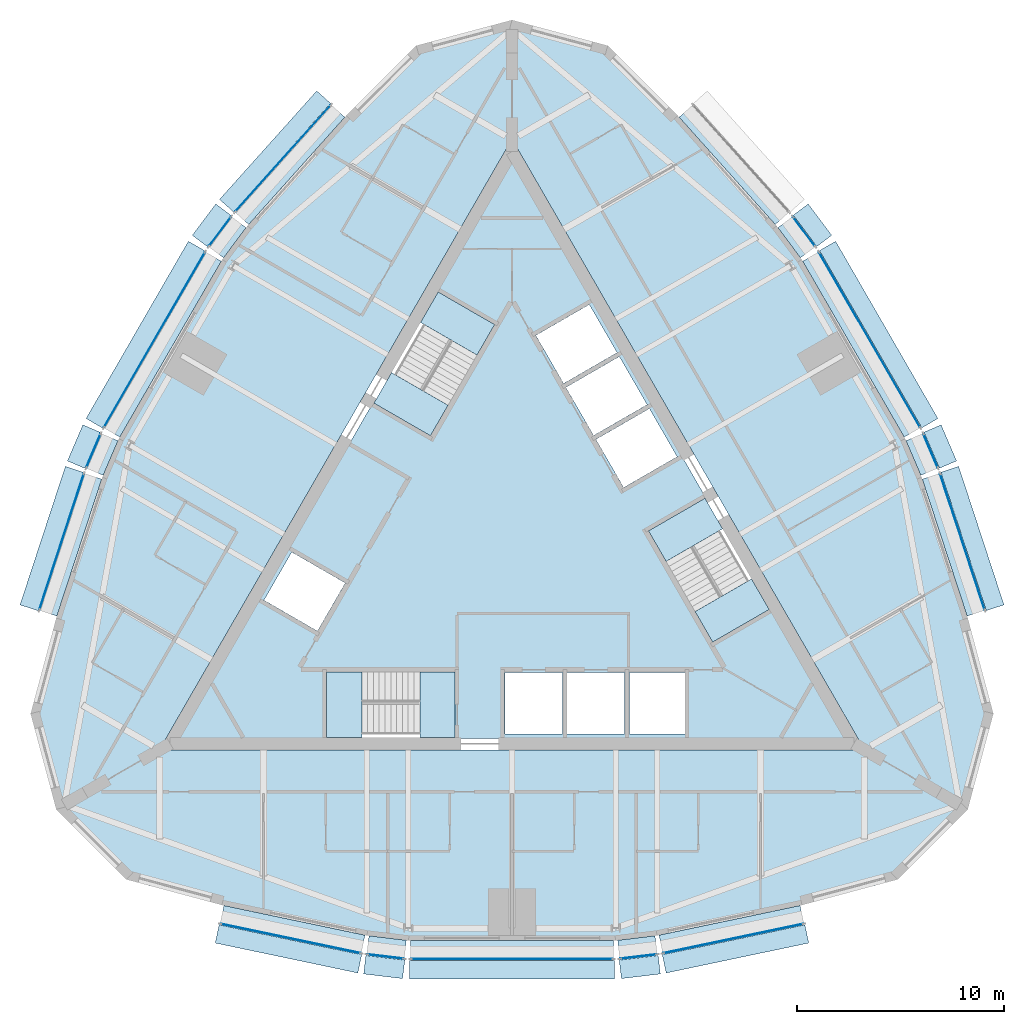
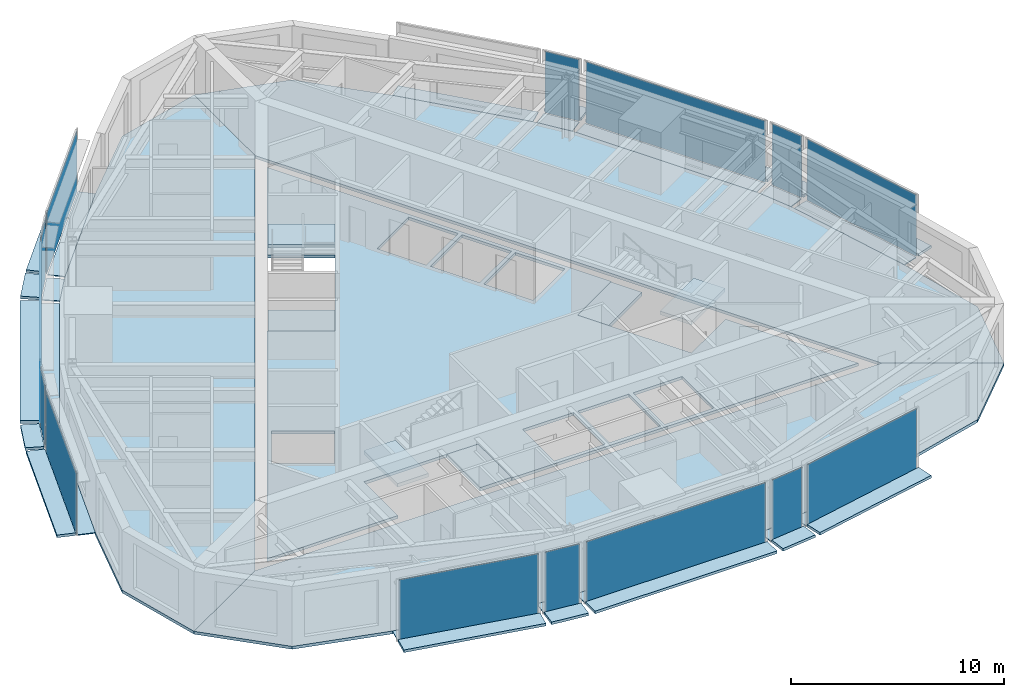
# One storey, part 6 of 12: 43 plates, 10 slabs, 17 elements without a shape of their own.
"""IFC4 building model written with IfcOpenShell, lengths in metres."""

from ifc_helpers import new_model, si_unit, direction, frame, origin, origin_2d, place, context, subcontext, project, spatial, polyline, rectangle, outline, extrude, material, layer, layer_set, type_object, element, aggregate, save


model = new_model("IFC4")

# Units and contexts
model_context = context("Model", 3, precision=1e-05, world=origin(), true_north=direction((0.0, 1.0)))
body_context = subcontext(model_context, "Body", "Model", "MODEL_VIEW")
ifc_project = project(units=[si_unit("LENGTHUNIT", "METRE"), si_unit("AREAUNIT", "SQUARE_METRE"), si_unit("VOLUMEUNIT", "CUBIC_METRE"), si_unit("PLANEANGLEUNIT", "RADIAN"), si_unit("MASSUNIT", "GRAM", prefix="KILO")], contexts=[model_context])

# Site, building, storey
site_placement = place(None, origin())
site = spatial("IfcSite", under=ifc_project, at=site_placement, CompositionType="ELEMENT")
building_placement = place(site_placement, origin())
building = spatial("IfcBuilding", under=site, at=building_placement, Name="Trikona Tower", CompositionType="ELEMENT")
storey_placement = place(building_placement, frame((0.0, 0.0, 264.5)))
storey = spatial("IfcBuildingStorey", under=building, at=storey_placement, Name="L70", CompositionType="ELEMENT", Elevation=264.5)

# Plates
ifc_material_1 = material(Name="Aluminium bar grating", Category="aluminium")
ifc_layer_1 = layer(ifc_material_1, 0.050048828125)
ifc_layer_set_1 = layer_set([ifc_layer_1], Name="Cavity catwalk grating")
plate_type_1 = type_object("IfcPlateType", Name="Cavity catwalk grating", PredefinedType="USERDEFINED", material=ifc_layer_set_1)
plate_1_placement = place(storey_placement, frame((-10.586181640625, -18.466552734375, -0.0498046875), z_axis=(0.0, 0.0, 1.0), x_axis=(0.97865342171, -0.205517590916, 0.0)))
element("IfcPlate", 1, at=plate_1_placement, inside=storey, type_object=plate_type_1, Name="Cavity catwalk L70-00", ObjectType="CATWALK GRATING", PredefinedType="USERDEFINED", context=body_context, shape_type="SweptSolid", body=[
    extrude(rectangle(XDim=6.95263671875, YDim=0.840087890625, at=origin_2d()), origin(), (0.0, 0.0, 1.0), 0.050048828125),
])
plate_2_placement = place(storey_placement, frame((-6.050048828125, -19.327392578125, -0.0498046875), z_axis=(0.0, 0.0, 1.0), x_axis=(0.992876783199, -0.11914568135, 0.0)))
element("IfcPlate", 2, at=plate_2_placement, inside=storey, type_object=plate_type_1, Name="Cavity catwalk L70-01", ObjectType="CATWALK GRATING", PredefinedType="USERDEFINED", context=body_context, shape_type="SweptSolid", body=[
    extrude(rectangle(XDim=1.814208984375, YDim=0.840087890625, at=origin_2d()), origin(), (0.0, 0.0, 1.0), 0.050048828125),
])
plate_3_placement = place(storey_placement, frame((0.0, -19.450439453125, -0.0498046875), z_axis=(0.0, 0.0, 1.0), x_axis=(1.0, 0.0, 0.0)))
element("IfcPlate", 3, at=plate_3_placement, inside=storey, type_object=plate_type_1, Name="Cavity catwalk L70-02", ObjectType="CATWALK GRATING", PredefinedType="USERDEFINED", context=body_context, shape_type="SweptSolid", body=[
    extrude(rectangle(XDim=9.800048828125, YDim=0.840087890625, at=origin_2d()), origin(), (0.0, 0.0, 1.0), 0.050048828125),
])
plate_4_placement = place(storey_placement, frame((6.050048828125, -19.327392578125, -0.0498046875), z_axis=(0.0, 0.0, 1.0), x_axis=(0.992876783199, 0.11914568135, 0.0)))
element("IfcPlate", 4, at=plate_4_placement, inside=storey, type_object=plate_type_1, Name="Cavity catwalk L70-03", ObjectType="CATWALK GRATING", PredefinedType="USERDEFINED", context=body_context, shape_type="SweptSolid", body=[
    extrude(rectangle(XDim=1.814208984375, YDim=0.840087890625, at=origin_2d()), origin(), (0.0, 0.0, 1.0), 0.050048828125),
])
for number, where, z_axis, x_axis, name in (
    (5, (10.586181640625, -18.466552734375, -0.0498046875), (0.0, 0.0, 1.0), (0.97865342171, 0.205517590916, 0.0), "Cavity catwalk L70-04"),
    (6, (21.28564453125, 0.065185546875, -0.0498046875), (0.0, 0.0, 1.0), (-0.311336621861, 0.950299693722, 0.0), "Cavity catwalk L70-09"),
):
    element("IfcPlate", number, at=place(storey_placement, frame(where, z_axis=z_axis, x_axis=x_axis)), inside=storey, type_object=plate_type_1, Name=name, ObjectType="CATWALK GRATING", PredefinedType="USERDEFINED", context=body_context, shape_type="SweptSolid", body=[
        extrude(rectangle(XDim=6.95263671875, YDim=0.840087890625, at=origin_2d()), origin(), (0.0, 0.0, 1.0), 0.050048828125),
    ])
plate_5_placement = place(storey_placement, frame((19.76318359375, 4.42431640625, -0.0498046875), z_axis=(0.0, 0.0, 1.0), x_axis=(-0.39328408933, 0.919417002823, 0.0)))
element("IfcPlate", 7, at=plate_5_placement, inside=storey, type_object=plate_type_1, Name="Cavity catwalk L70-10", ObjectType="CATWALK GRATING", PredefinedType="USERDEFINED", context=body_context, shape_type="SweptSolid", body=[
    extrude(rectangle(XDim=1.814208984375, YDim=0.840087890625, at=origin_2d()), origin(), (0.0, 0.0, 1.0), 0.050048828125),
])
plate_6_placement = place(storey_placement, frame((16.844482421875, 9.72509765625, -0.0498046875), z_axis=(0.0, 0.0, 1.0), x_axis=(-0.4999984885, 0.866026276448, 0.0)))
element("IfcPlate", 8, at=plate_6_placement, inside=storey, type_object=plate_type_1, Name="Cavity catwalk L70-11", ObjectType="CATWALK GRATING", PredefinedType="USERDEFINED", context=body_context, shape_type="SweptSolid", body=[
    extrude(rectangle(XDim=9.800048828125, YDim=0.840087890625, at=origin_2d()), origin(), (0.0, 0.0, 1.0), 0.050048828125),
])
plate_7_placement = place(storey_placement, frame((13.713134765625, 14.9033203125, -0.0498046875), z_axis=(0.0, 0.0, 1.0), x_axis=(-0.599618784879, 0.800285769472, 0.0)))
element("IfcPlate", 9, at=plate_7_placement, inside=storey, type_object=plate_type_1, Name="Cavity catwalk L70-12", ObjectType="CATWALK GRATING", PredefinedType="USERDEFINED", context=body_context, shape_type="SweptSolid", body=[
    extrude(rectangle(XDim=1.814208984375, YDim=0.840087890625, at=origin_2d()), origin(), (0.0, 0.0, 1.0), 0.050048828125),
])
for number, where, z_axis, x_axis, name in (
    (10, (10.699462890625, 18.4013671875, -0.0498046875), (0.0, 0.0, 1.0), (-0.667311465398, 0.744778764566, 0.0), "Cavity catwalk L70-13"),
    (11, (-10.699462890625, 18.4013671875, -0.0498046875), (0.0, 0.0, 1.0), (-0.667311465398, -0.744778764566, 0.0), "Cavity catwalk L70-18"),
):
    element("IfcPlate", number, at=place(storey_placement, frame(where, z_axis=z_axis, x_axis=x_axis)), inside=storey, type_object=plate_type_1, Name=name, ObjectType="CATWALK GRATING", PredefinedType="USERDEFINED", context=body_context, shape_type="SweptSolid", body=[
        extrude(rectangle(XDim=6.95263671875, YDim=0.840087890625, at=origin_2d()), origin(), (0.0, 0.0, 1.0), 0.050048828125),
    ])
plate_8_placement = place(storey_placement, frame((-13.713134765625, 14.9033203125, -0.0498046875), z_axis=(0.0, 0.0, 1.0), x_axis=(-0.599618784879, -0.800285769472, 0.0)))
element("IfcPlate", 12, at=plate_8_placement, inside=storey, type_object=plate_type_1, Name="Cavity catwalk L70-19", ObjectType="CATWALK GRATING", PredefinedType="USERDEFINED", context=body_context, shape_type="SweptSolid", body=[
    extrude(rectangle(XDim=1.814208984375, YDim=0.840087890625, at=origin_2d()), origin(), (0.0, 0.0, 1.0), 0.050048828125),
])
plate_9_placement = place(storey_placement, frame((-16.844482421875, 9.72509765625, -0.0498046875), z_axis=(0.0, 0.0, 1.0), x_axis=(-0.4999984885, -0.866026276448, 0.0)))
element("IfcPlate", 13, at=plate_9_placement, inside=storey, type_object=plate_type_1, Name="Cavity catwalk L70-20", ObjectType="CATWALK GRATING", PredefinedType="USERDEFINED", context=body_context, shape_type="SweptSolid", body=[
    extrude(rectangle(XDim=9.800048828125, YDim=0.840087890625, at=origin_2d()), origin(), (0.0, 0.0, 1.0), 0.050048828125),
])
plate_10_placement = place(storey_placement, frame((-19.76318359375, 4.42431640625, -0.0498046875), z_axis=(0.0, 0.0, 1.0), x_axis=(-0.39328408933, -0.919417002823, 0.0)))
element("IfcPlate", 14, at=plate_10_placement, inside=storey, type_object=plate_type_1, Name="Cavity catwalk L70-21", ObjectType="CATWALK GRATING", PredefinedType="USERDEFINED", context=body_context, shape_type="SweptSolid", body=[
    extrude(rectangle(XDim=1.814208984375, YDim=0.840087890625, at=origin_2d()), origin(), (0.0, 0.0, 1.0), 0.050048828125),
])
plate_11_placement = place(storey_placement, frame((-21.28564453125, 0.065185546875, -0.0498046875), z_axis=(0.0, 0.0, 1.0), x_axis=(-0.311336621861, -0.950299693722, 0.0)))
element("IfcPlate", 15, at=plate_11_placement, inside=storey, type_object=plate_type_1, Name="Cavity catwalk L70-22", ObjectType="CATWALK GRATING", PredefinedType="USERDEFINED", context=body_context, shape_type="SweptSolid", body=[
    extrude(rectangle(XDim=6.95263671875, YDim=0.840087890625, at=origin_2d()), origin(), (0.0, 0.0, 1.0), 0.050048828125),
])

# Slabs
ifc_material_2 = material(Name="Concrete f'c 5000 psi lightweight on composite steel deck", Category="concrete")
ifc_layer_2 = layer(ifc_material_2, 0.1650390625)
ifc_layer_set_2 = layer_set([ifc_layer_2], Name="Composite floor slab 165")
slab_type_1 = type_object("IfcSlabType", Name="Composite floor slab 165", PredefinedType="FLOOR", material=ifc_layer_set_2)
slab_1_placement = place(storey_placement, frame((0.0, 0.0, -0.1650390625)))
element("IfcSlab", 16, at=slab_1_placement, inside=storey, type_object=slab_type_1, Name="Floor slab L70 core", PredefinedType="FLOOR", context=body_context, shape_type="SweptSolid", body=[
    extrude(outline(polyline([(-16.06689453125, -9.2763671875), (-8.949951171875, -9.2763671875), (-8.949951171875, -6.076416015625), (-2.75, -6.076416015625), (-2.75, -9.2763671875), (16.06689453125, -9.2763671875), (12.45849609375, -3.026123046875), (9.687255859375, -4.626220703125), (6.587158203125, 0.7431640625), (9.3583984375, 2.34326171875), (0.0, 18.552490234375), (-3.6083984375, 12.302490234375), (-0.837158203125, 10.702392578125), (-3.937255859375, 5.3330078125), (-6.70849609375, 6.93310546875), (-16.06689453125, -9.2763671875)]), holes=[polyline([(5.659912109375, -6.086181640625), (5.659912109375, -9.06640625), (8.340087890625, -9.06640625), (8.340087890625, -6.086181640625), (5.659912109375, -6.086181640625)]), polyline([(6.631591796875, 6.646240234375), (4.05078125, 5.15625), (5.390869140625, 2.835205078125), (7.9716796875, 4.3251953125), (6.631591796875, 6.646240234375)]), polyline([(6.521484375, 6.8369140625), (5.181640625, 9.15771484375), (2.600830078125, 7.667724609375), (3.94091796875, 5.3466796875), (6.521484375, 6.8369140625)]), polyline([(2.659912109375, -9.06640625), (5.43994140625, -9.06640625), (5.43994140625, -6.086181640625), (2.659912109375, -6.086181640625), (2.659912109375, -9.06640625)]), polyline([(2.490966796875, 7.858154296875), (5.071533203125, 9.34814453125), (3.731689453125, 11.669189453125), (1.15087890625, 10.17919921875), (2.490966796875, 7.858154296875)]), polyline([(2.43994140625, -9.06640625), (2.43994140625, -6.086181640625), (-0.340087890625, -6.086181640625), (-0.340087890625, -9.06640625), (2.43994140625, -9.06640625)]), polyline([(-11.9716796875, -2.602783203125), (-9.390869140625, -4.093017578125), (-8.05078125, -1.77197265625), (-10.631591796875, -0.281982421875), (-11.9716796875, -2.602783203125)])]), origin(), (0.0, 0.0, 1.0), 0.1650390625),
])
slab_2_placement = place(storey_placement, frame((0.0, 0.0, -0.1650390625)))
element("IfcSlab", 17, at=slab_2_placement, inside=storey, type_object=slab_type_1, Name="Floor slab L70 south", PredefinedType="FLOOR", context=body_context, shape_type="SweptSolid", body=[
    extrude(outline(polyline([(18.618896484375, -16.0830078125), (22.0, -12.70166015625), (17.01953125, -9.826416015625), (-17.01953125, -9.826416015625), (-22.0, -12.70166015625), (-18.618896484375, -16.0830078125), (-14.0, -17.320556640625), (-7.0, -18.79052734375), (-5.0, -19.030517578125), (5.0, -19.030517578125), (7.0, -18.79052734375), (14.0, -17.320556640625), (18.618896484375, -16.0830078125)])), origin(), (0.0, 0.0, 1.0), 0.1650390625),
])
slab_3_placement = place(storey_placement, frame((0.0, 0.0, -0.1650390625)))
element("IfcSlab", 18, at=slab_3_placement, inside=storey, type_object=slab_type_1, Name="Floor slab L70 north-east", PredefinedType="FLOOR", context=body_context, shape_type="SweptSolid", body=[
    extrude(outline(polyline([(4.618896484375, 24.165771484375), (0.0, 25.4033203125), (0.0, 19.652587890625), (17.01953125, -9.826416015625), (22.0, -12.70166015625), (23.237548828125, -8.0830078125), (22.0, -3.464111328125), (19.773193359375, 3.3330078125), (18.98095703125, 5.18505859375), (13.98095703125, 13.845458984375), (12.773193359375, 15.45751953125), (8.0, 20.78466796875), (4.618896484375, 24.165771484375)])), origin(), (0.0, 0.0, 1.0), 0.1650390625),
])
slab_4_placement = place(storey_placement, frame((0.0, 0.0, -0.1650390625)))
element("IfcSlab", 19, at=slab_4_placement, inside=storey, type_object=slab_type_1, Name="Floor slab L70 north-west", PredefinedType="FLOOR", context=body_context, shape_type="SweptSolid", body=[
    extrude(outline(polyline([(0.0, 19.652587890625), (0.0, 25.4033203125), (-4.618896484375, 24.165771484375), (-8.0, 20.78466796875), (-12.773193359375, 15.45751953125), (-13.98095703125, 13.845458984375), (-18.98095703125, 5.18505859375), (-19.773193359375, 3.3330078125), (-22.0, -3.464111328125), (-23.237548828125, -8.0830078125), (-22.0, -12.70166015625), (-17.01953125, -9.826416015625), (0.0, 19.652587890625)])), origin(), (0.0, 0.0, 1.0), 0.1650390625),
])

# Curtain wall, plate
ifc_material_3 = material(Name="Aluminium curtain wall system", Category="aluminium")
curtain_wall_type = type_object("IfcCurtainWallType", Name="Curtain wall DS3", PredefinedType="NOTDEFINED", material=ifc_material_3)
curtain_wall_1_placement = place(storey_placement, origin())
curtain_wall_1 = element("IfcCurtainWall", 20, at=curtain_wall_1_placement, inside=storey, type_object=curtain_wall_type, Name="Curtain wall DS3 L70", PredefinedType="NOTDEFINED")
ifc_material_4 = material(Name="Laminated clear glass", Category="glass")
ifc_layer_3 = layer(ifc_material_4, 0.028076171875)
ifc_layer_set_3 = layer_set([ifc_layer_3], Name="Glass panel DS3")
plate_type_2 = type_object("IfcPlateType", Name="Glass panel DS3", PredefinedType="CURTAIN_PANEL", material=ifc_layer_set_3)
plate_12_placement = place(storey_placement, frame((-10.68505859375, -18.936279296875, 0.0), z_axis=(0.0, 0.0, 1.0), x_axis=(0.978651351583, -0.205527448396, 0.0)))
plate_12 = element("IfcPlate", 21, at=plate_12_placement, type_object=plate_type_2, Name="CW-DS3 panel 1.1", PredefinedType="CURTAIN_PANEL", context=body_context, shape_type="SweptSolid", body=[
    extrude(rectangle(XDim=6.892578125, YDim=0.028076171875, at=origin_2d()), origin(), (0.0, 0.0, 1.0), 3.530029296875),
])
aggregate(curtain_wall_1, [plate_12])

curtain_wall_2_placement = place(storey_placement, origin())
curtain_wall_2 = element("IfcCurtainWall", 22, at=curtain_wall_2_placement, inside=storey, type_object=curtain_wall_type, Name="Curtain wall DS3 L70", PredefinedType="NOTDEFINED")
plate_13_placement = place(storey_placement, frame((-6.107177734375, -19.803955078125, 0.0), z_axis=(0.0, 0.0, 1.0), x_axis=(0.992877338043, -0.119141057581, 0.0)))
plate_13 = element("IfcPlate", 23, at=plate_13_placement, type_object=plate_type_2, Name="CW-DS3 panel 1.1", PredefinedType="CURTAIN_PANEL", context=body_context, shape_type="SweptSolid", body=[
    extrude(rectangle(XDim=1.75439453125, YDim=0.028076171875, at=origin_2d()), origin(), (0.0, 0.0, 1.0), 3.530029296875),
])
aggregate(curtain_wall_2, [plate_13])

curtain_wall_3_placement = place(storey_placement, origin())
curtain_wall_3 = element("IfcCurtainWall", 24, at=curtain_wall_3_placement, inside=storey, type_object=curtain_wall_type, Name="Curtain wall DS3 L70", PredefinedType="NOTDEFINED")
plate_14_placement = place(storey_placement, frame((0.0, -19.930419921875, 0.0), z_axis=(0.0, 0.0, 1.0), x_axis=(1.0, 0.0, 0.0)))
plate_14 = element("IfcPlate", 25, at=plate_14_placement, type_object=plate_type_2, Name="CW-DS3 panel 1.1", PredefinedType="CURTAIN_PANEL", context=body_context, shape_type="SweptSolid", body=[
    extrude(rectangle(XDim=9.739990234375, YDim=0.028076171875, at=origin_2d()), origin(), (0.0, 0.0, 1.0), 3.530029296875),
])
aggregate(curtain_wall_3, [plate_14])

curtain_wall_4_placement = place(storey_placement, origin())
curtain_wall_4 = element("IfcCurtainWall", 26, at=curtain_wall_4_placement, inside=storey, type_object=curtain_wall_type, Name="Curtain wall DS3 L70", PredefinedType="NOTDEFINED")
plate_15_placement = place(storey_placement, frame((6.107177734375, -19.803955078125, 0.0), z_axis=(0.0, 0.0, 1.0), x_axis=(0.992877338043, 0.119141057581, 0.0)))
plate_15 = element("IfcPlate", 27, at=plate_15_placement, type_object=plate_type_2, Name="CW-DS3 panel 1.1", PredefinedType="CURTAIN_PANEL", context=body_context, shape_type="SweptSolid", body=[
    extrude(rectangle(XDim=1.75439453125, YDim=0.028076171875, at=origin_2d()), origin(), (0.0, 0.0, 1.0), 3.530029296875),
])
aggregate(curtain_wall_4, [plate_15])

curtain_wall_5_placement = place(storey_placement, origin())
curtain_wall_5 = element("IfcCurtainWall", 28, at=curtain_wall_5_placement, inside=storey, type_object=curtain_wall_type, Name="Curtain wall DS3 L70", PredefinedType="NOTDEFINED")
plate_16_placement = place(storey_placement, frame((10.68505859375, -18.936279296875, 0.0), z_axis=(0.0, 0.0, 1.0), x_axis=(0.978651351583, 0.205527448396, 0.0)))
plate_16 = element("IfcPlate", 29, at=plate_16_placement, type_object=plate_type_2, Name="CW-DS3 panel 1.1", PredefinedType="CURTAIN_PANEL", context=body_context, shape_type="SweptSolid", body=[
    extrude(rectangle(XDim=6.892578125, YDim=0.028076171875, at=origin_2d()), origin(), (0.0, 0.0, 1.0), 3.530029296875),
])
aggregate(curtain_wall_5, [plate_16])

curtain_wall_6_placement = place(storey_placement, origin())
curtain_wall_6 = element("IfcCurtainWall", 30, at=curtain_wall_6_placement, inside=storey, type_object=curtain_wall_type, Name="Curtain wall DS3 L70", PredefinedType="NOTDEFINED")
plate_17_placement = place(storey_placement, frame((21.74169921875, 0.214599609375, 0.0), z_axis=(0.0, 0.0, 1.0), x_axis=(-0.311343553515, 0.95029742275, 0.0)))
plate_17 = element("IfcPlate", 31, at=plate_17_placement, type_object=plate_type_2, Name="CW-DS3 panel 1.1", PredefinedType="CURTAIN_PANEL", context=body_context, shape_type="SweptSolid", body=[
    extrude(rectangle(XDim=6.892822265625, YDim=0.028076171875, at=origin_2d()), origin(), (0.0, 0.0, 1.0), 3.530029296875),
])
aggregate(curtain_wall_6, [plate_17])

curtain_wall_7_placement = place(storey_placement, origin())
curtain_wall_7 = element("IfcCurtainWall", 32, at=curtain_wall_7_placement, inside=storey, type_object=curtain_wall_type, Name="Curtain wall DS3 L70", PredefinedType="NOTDEFINED")
plate_18_placement = place(storey_placement, frame((20.20458984375, 4.613037109375, 0.0), z_axis=(0.0, 0.0, 1.0), x_axis=(-0.393275726143, 0.919420580163, 0.0)))
plate_18 = element("IfcPlate", 33, at=plate_18_placement, type_object=plate_type_2, Name="CW-DS3 panel 1.1", PredefinedType="CURTAIN_PANEL", context=body_context, shape_type="SweptSolid", body=[
    extrude(rectangle(XDim=1.75439453125, YDim=0.028076171875, at=origin_2d()), origin(), (0.0, 0.0, 1.0), 3.530029296875),
])
aggregate(curtain_wall_7, [plate_18])

curtain_wall_8_placement = place(storey_placement, origin())
curtain_wall_8 = element("IfcCurtainWall", 34, at=curtain_wall_8_placement, inside=storey, type_object=curtain_wall_type, Name="Curtain wall DS3 L70", PredefinedType="NOTDEFINED")
plate_19_placement = place(storey_placement, frame((17.26025390625, 9.96533203125, 0.0), z_axis=(0.0, 0.0, 1.0), x_axis=(-0.500001358187, 0.866024619633, 0.0)))
plate_19 = element("IfcPlate", 35, at=plate_19_placement, type_object=plate_type_2, Name="CW-DS3 panel 1.1", PredefinedType="CURTAIN_PANEL", context=body_context, shape_type="SweptSolid", body=[
    extrude(rectangle(XDim=9.739990234375, YDim=0.028076171875, at=origin_2d()), origin(), (0.0, 0.0, 1.0), 3.530029296875),
])
aggregate(curtain_wall_8, [plate_19])

curtain_wall_9_placement = place(storey_placement, origin())
curtain_wall_9 = element("IfcCurtainWall", 36, at=curtain_wall_9_placement, inside=storey, type_object=curtain_wall_type, Name="Curtain wall DS3 L70", PredefinedType="NOTDEFINED")
plate_20_placement = place(storey_placement, frame((14.09716796875, 15.191162109375, 0.0), z_axis=(0.0, 0.0, 1.0), x_axis=(-0.599653634435, 0.800259657055, 0.0)))
plate_20 = element("IfcPlate", 37, at=plate_20_placement, type_object=plate_type_2, Name="CW-DS3 panel 1.1", PredefinedType="CURTAIN_PANEL", context=body_context, shape_type="SweptSolid", body=[
    extrude(rectangle(XDim=1.754150390625, YDim=0.028076171875, at=origin_2d()), origin(), (0.0, 0.0, 1.0), 3.530029296875),
])
aggregate(curtain_wall_9, [plate_20])

curtain_wall_10_placement = place(storey_placement, origin())
curtain_wall_10 = element("IfcCurtainWall", 38, at=curtain_wall_10_placement, inside=storey, type_object=curtain_wall_type, Name="Curtain wall DS3 L70", PredefinedType="NOTDEFINED")
plate_21_placement = place(storey_placement, frame((-11.056884765625, 18.7216796875, 0.0), z_axis=(0.0, 0.0, 1.0), x_axis=(-0.667319643748, -0.744771436797, 0.0)))
plate_21 = element("IfcPlate", 39, at=plate_21_placement, type_object=plate_type_2, Name="CW-DS3 panel 1.1", PredefinedType="CURTAIN_PANEL", context=body_context, shape_type="SweptSolid", body=[
    extrude(rectangle(XDim=6.892822265625, YDim=0.028076171875, at=origin_2d()), origin(), (0.0, 0.0, 1.0), 3.530029296875),
])
aggregate(curtain_wall_10, [plate_21])

curtain_wall_11_placement = place(storey_placement, origin())
curtain_wall_11 = element("IfcCurtainWall", 40, at=curtain_wall_11_placement, inside=storey, type_object=curtain_wall_type, Name="Curtain wall DS3 L70", PredefinedType="NOTDEFINED")
plate_22_placement = place(storey_placement, frame((-14.09716796875, 15.191162109375, 0.0), z_axis=(0.0, 0.0, 1.0), x_axis=(-0.599653634435, -0.800259657055, 0.0)))
plate_22 = element("IfcPlate", 41, at=plate_22_placement, type_object=plate_type_2, Name="CW-DS3 panel 1.1", PredefinedType="CURTAIN_PANEL", context=body_context, shape_type="SweptSolid", body=[
    extrude(rectangle(XDim=1.754150390625, YDim=0.028076171875, at=origin_2d()), origin(), (0.0, 0.0, 1.0), 3.530029296875),
])
aggregate(curtain_wall_11, [plate_22])

curtain_wall_12_placement = place(storey_placement, origin())
curtain_wall_12 = element("IfcCurtainWall", 42, at=curtain_wall_12_placement, inside=storey, type_object=curtain_wall_type, Name="Curtain wall DS3 L70", PredefinedType="NOTDEFINED")
plate_23_placement = place(storey_placement, frame((-17.26025390625, 9.96533203125, 0.0), z_axis=(0.0, 0.0, 1.0), x_axis=(-0.500001358187, -0.866024619633, 0.0)))
plate_23 = element("IfcPlate", 43, at=plate_23_placement, type_object=plate_type_2, Name="CW-DS3 panel 1.1", PredefinedType="CURTAIN_PANEL", context=body_context, shape_type="SweptSolid", body=[
    extrude(rectangle(XDim=9.739990234375, YDim=0.028076171875, at=origin_2d()), origin(), (0.0, 0.0, 1.0), 3.530029296875),
])
aggregate(curtain_wall_12, [plate_23])

curtain_wall_13_placement = place(storey_placement, origin())
curtain_wall_13 = element("IfcCurtainWall", 44, at=curtain_wall_13_placement, inside=storey, type_object=curtain_wall_type, Name="Curtain wall DS3 L70", PredefinedType="NOTDEFINED")
plate_24_placement = place(storey_placement, frame((-20.20458984375, 4.613037109375, 0.0), z_axis=(0.0, 0.0, 1.0), x_axis=(-0.393275726143, -0.919420580163, 0.0)))
plate_24 = element("IfcPlate", 45, at=plate_24_placement, type_object=plate_type_2, Name="CW-DS3 panel 1.1", PredefinedType="CURTAIN_PANEL", context=body_context, shape_type="SweptSolid", body=[
    extrude(rectangle(XDim=1.75439453125, YDim=0.028076171875, at=origin_2d()), origin(), (0.0, 0.0, 1.0), 3.530029296875),
])
aggregate(curtain_wall_13, [plate_24])

curtain_wall_14_placement = place(storey_placement, origin())
curtain_wall_14 = element("IfcCurtainWall", 46, at=curtain_wall_14_placement, inside=storey, type_object=curtain_wall_type, Name="Curtain wall DS3 L70", PredefinedType="NOTDEFINED")
plate_25_placement = place(storey_placement, frame((-21.74169921875, 0.214599609375, 0.0), z_axis=(0.0, 0.0, 1.0), x_axis=(-0.311343553515, -0.95029742275, 0.0)))
plate_25 = element("IfcPlate", 47, at=plate_25_placement, type_object=plate_type_2, Name="CW-DS3 panel 1.1", PredefinedType="CURTAIN_PANEL", context=body_context, shape_type="SweptSolid", body=[
    extrude(rectangle(XDim=6.892822265625, YDim=0.028076171875, at=origin_2d()), origin(), (0.0, 0.0, 1.0), 3.530029296875),
])
aggregate(curtain_wall_14, [plate_25])

# Plates
ifc_material_5 = material(Name="Aluminium plate fin, pale anodised, on stainless steel outriggers", Category="steel")
ifc_layer_4 = layer(ifc_material_5, 0.14990234375)
ifc_layer_set_4 = layer_set([ifc_layer_4], Name="Outer skin fin 900")
plate_type_3 = type_object("IfcPlateType", Name="Outer skin fin 900", PredefinedType="USERDEFINED", material=ifc_layer_set_4)
plate_26_placement = place(storey_placement, frame((-10.789794921875, -19.435302734375, 0.0), z_axis=(0.0, 0.0, 1.0), x_axis=(0.97865342171, -0.205517590916, 0.0)))
element("IfcPlate", 48, at=plate_26_placement, inside=storey, type_object=plate_type_3, Name="Outer skin fin L70-00", ObjectType="FIN", PredefinedType="USERDEFINED", context=body_context, shape_type="SweptSolid", body=[
    extrude(rectangle(XDim=7.03271484375, YDim=0.89990234375, at=origin_2d()), origin(), (0.0, 0.0, 1.0), 0.14990234375),
])
plate_27_placement = place(storey_placement, frame((-6.16796875, -20.310546875, 0.0), z_axis=(0.0, 0.0, 1.0), x_axis=(0.992876783199, -0.11914568135, 0.0)))
element("IfcPlate", 49, at=plate_27_placement, inside=storey, type_object=plate_type_3, Name="Outer skin fin L70-01", ObjectType="FIN", PredefinedType="USERDEFINED", context=body_context, shape_type="SweptSolid", body=[
    extrude(rectangle(XDim=1.894287109375, YDim=0.89990234375, at=origin_2d()), origin(), (0.0, 0.0, 1.0), 0.14990234375),
])
plate_28_placement = place(storey_placement, frame((0.0, -20.4404296875, 0.0), z_axis=(0.0, 0.0, 1.0), x_axis=(1.0, 0.0, 0.0)))
element("IfcPlate", 50, at=plate_28_placement, inside=storey, type_object=plate_type_3, Name="Outer skin fin L70-02", ObjectType="FIN", PredefinedType="USERDEFINED", context=body_context, shape_type="SweptSolid", body=[
    extrude(rectangle(XDim=9.8798828125, YDim=0.89990234375, at=origin_2d()), origin(), (0.0, 0.0, 1.0), 0.14990234375),
])
plate_29_placement = place(storey_placement, frame((6.16796875, -20.310546875, 0.0), z_axis=(0.0, 0.0, 1.0), x_axis=(0.992876783199, 0.11914568135, 0.0)))
element("IfcPlate", 51, at=plate_29_placement, inside=storey, type_object=plate_type_3, Name="Outer skin fin L70-03", ObjectType="FIN", PredefinedType="USERDEFINED", context=body_context, shape_type="SweptSolid", body=[
    extrude(rectangle(XDim=1.894287109375, YDim=0.89990234375, at=origin_2d()), origin(), (0.0, 0.0, 1.0), 0.14990234375),
])
for number, where, z_axis, x_axis, name in (
    (52, (10.789794921875, -19.435302734375, 0.0), (0.0, 0.0, 1.0), (0.97865342171, 0.205517590916, 0.0), "Outer skin fin L70-04"),
    (53, (22.2265625, 0.37353515625, 0.0), (0.0, 0.0, 1.0), (-0.311336621861, 0.950299693722, 0.0), "Outer skin fin L70-09"),
):
    element("IfcPlate", number, at=place(storey_placement, frame(where, z_axis=z_axis, x_axis=x_axis)), inside=storey, type_object=plate_type_3, Name=name, ObjectType="FIN", PredefinedType="USERDEFINED", context=body_context, shape_type="SweptSolid", body=[
        extrude(rectangle(XDim=7.03271484375, YDim=0.89990234375, at=origin_2d()), origin(), (0.0, 0.0, 1.0), 0.14990234375),
    ])
plate_30_placement = place(storey_placement, frame((20.67333984375, 4.813720703125, 0.0), z_axis=(0.0, 0.0, 1.0), x_axis=(-0.39328408933, 0.919417002823, 0.0)))
element("IfcPlate", 54, at=plate_30_placement, inside=storey, type_object=plate_type_3, Name="Outer skin fin L70-10", ObjectType="FIN", PredefinedType="USERDEFINED", context=body_context, shape_type="SweptSolid", body=[
    extrude(rectangle(XDim=1.894287109375, YDim=0.89990234375, at=origin_2d()), origin(), (0.0, 0.0, 1.0), 0.14990234375),
])
plate_31_placement = place(storey_placement, frame((17.701904296875, 10.22021484375, 0.0), z_axis=(0.0, 0.0, 1.0), x_axis=(-0.4999984885, 0.866026276448, 0.0)))
element("IfcPlate", 55, at=plate_31_placement, inside=storey, type_object=plate_type_3, Name="Outer skin fin L70-11", ObjectType="FIN", PredefinedType="USERDEFINED", context=body_context, shape_type="SweptSolid", body=[
    extrude(rectangle(XDim=9.8798828125, YDim=0.89990234375, at=origin_2d()), origin(), (0.0, 0.0, 1.0), 0.14990234375),
])
plate_32_placement = place(storey_placement, frame((14.50537109375, 15.496826171875, 0.0), z_axis=(0.0, 0.0, 1.0), x_axis=(-0.599618784879, 0.800285769472, 0.0)))
element("IfcPlate", 56, at=plate_32_placement, inside=storey, type_object=plate_type_3, Name="Outer skin fin L70-12", ObjectType="FIN", PredefinedType="USERDEFINED", context=body_context, shape_type="SweptSolid", body=[
    extrude(rectangle(XDim=1.894287109375, YDim=0.89990234375, at=origin_2d()), origin(), (0.0, 0.0, 1.0), 0.14990234375),
])
plate_33_placement = place(storey_placement, frame((-11.436767578125, 19.06201171875, 0.0), z_axis=(0.0, 0.0, 1.0), x_axis=(-0.667311465398, -0.744778764566, 0.0)))
element("IfcPlate", 57, at=plate_33_placement, inside=storey, type_object=plate_type_3, Name="Outer skin fin L70-18", ObjectType="FIN", PredefinedType="USERDEFINED", context=body_context, shape_type="SweptSolid", body=[
    extrude(rectangle(XDim=7.03271484375, YDim=0.89990234375, at=origin_2d()), origin(), (0.0, 0.0, 1.0), 0.14990234375),
])
plate_34_placement = place(storey_placement, frame((-14.50537109375, 15.496826171875, 0.0), z_axis=(0.0, 0.0, 1.0), x_axis=(-0.599618784879, -0.800285769472, 0.0)))
element("IfcPlate", 58, at=plate_34_placement, inside=storey, type_object=plate_type_3, Name="Outer skin fin L70-19", ObjectType="FIN", PredefinedType="USERDEFINED", context=body_context, shape_type="SweptSolid", body=[
    extrude(rectangle(XDim=1.894287109375, YDim=0.89990234375, at=origin_2d()), origin(), (0.0, 0.0, 1.0), 0.14990234375),
])
plate_35_placement = place(storey_placement, frame((-17.701904296875, 10.22021484375, 0.0), z_axis=(0.0, 0.0, 1.0), x_axis=(-0.4999984885, -0.866026276448, 0.0)))
element("IfcPlate", 59, at=plate_35_placement, inside=storey, type_object=plate_type_3, Name="Outer skin fin L70-20", ObjectType="FIN", PredefinedType="USERDEFINED", context=body_context, shape_type="SweptSolid", body=[
    extrude(rectangle(XDim=9.8798828125, YDim=0.89990234375, at=origin_2d()), origin(), (0.0, 0.0, 1.0), 0.14990234375),
])
plate_36_placement = place(storey_placement, frame((-20.67333984375, 4.813720703125, 0.0), z_axis=(0.0, 0.0, 1.0), x_axis=(-0.39328408933, -0.919417002823, 0.0)))
element("IfcPlate", 60, at=plate_36_placement, inside=storey, type_object=plate_type_3, Name="Outer skin fin L70-21", ObjectType="FIN", PredefinedType="USERDEFINED", context=body_context, shape_type="SweptSolid", body=[
    extrude(rectangle(XDim=1.894287109375, YDim=0.89990234375, at=origin_2d()), origin(), (0.0, 0.0, 1.0), 0.14990234375),
])
plate_37_placement = place(storey_placement, frame((-22.2265625, 0.37353515625, 0.0), z_axis=(0.0, 0.0, 1.0), x_axis=(-0.311336621861, -0.950299693722, 0.0)))
element("IfcPlate", 61, at=plate_37_placement, inside=storey, type_object=plate_type_3, Name="Outer skin fin L70-22", ObjectType="FIN", PredefinedType="USERDEFINED", context=body_context, shape_type="SweptSolid", body=[
    extrude(rectangle(XDim=7.03271484375, YDim=0.89990234375, at=origin_2d()), origin(), (0.0, 0.0, 1.0), 0.14990234375),
])

# Stair, slabs
ifc_material_6 = material(Name="Concrete f'c 5000 psi", Category="concrete")
stair_type = type_object("IfcStairType", Name="Core stair", PredefinedType="HALF_TURN_STAIR", material=ifc_material_6)
stair_1_placement = place(storey_placement, origin())
stair_1 = element("IfcStair", 62, at=stair_1_placement, inside=storey, type_object=stair_type, Name="Stair A L70", PredefinedType="HALF_TURN_STAIR")
ifc_material_7 = material(Name="Concrete f'c 5000 psi", Category="concrete")
ifc_layer_5 = layer(ifc_material_7, 0.199951171875)
ifc_layer_set_5 = layer_set([ifc_layer_5], Name="Stair landing 200")
slab_type_2 = type_object("IfcSlabType", Name="Stair landing 200", PredefinedType="LANDING", material=ifc_layer_set_5)
slab_5_placement = place(storey_placement, frame((0.0, 0.0, -0.199951171875)))
slab_5 = element("IfcSlab", 63, at=slab_5_placement, type_object=slab_type_2, Name="ST-A landing 1", PredefinedType="LANDING", context=body_context, shape_type="SweptSolid", body=[
    extrude(outline(polyline([(-4.452880859375, -6.076416015625), (-2.75, -6.076416015625), (-2.75, -9.226318359375), (-4.452880859375, -9.226318359375), (-4.452880859375, -6.076416015625)])), origin(), (0.0, 0.0, 1.0), 0.199951171875),
])
slab_6_placement = place(storey_placement, frame((0.0, 0.0, 1.60009765625)))
slab_6 = element("IfcSlab", 64, at=slab_6_placement, type_object=slab_type_2, Name="ST-A landing 2", PredefinedType="LANDING", context=body_context, shape_type="SweptSolid", body=[
    extrude(outline(polyline([(-8.949951171875, -6.076416015625), (-7.2470703125, -6.076416015625), (-7.2470703125, -9.226318359375), (-8.949951171875, -9.226318359375), (-8.949951171875, -6.076416015625)])), origin(), (0.0, 0.0, 1.0), 0.199951171875),
])
aggregate(stair_1, [slab_5, slab_6])

stair_2_placement = place(storey_placement, origin())
stair_2 = element("IfcStair", 65, at=stair_2_placement, inside=storey, type_object=stair_type, Name="Stair B L70", PredefinedType="HALF_TURN_STAIR")
slab_7_placement = place(storey_placement, frame((0.0, 0.0, -0.199951171875)))
slab_7 = element("IfcSlab", 66, at=slab_7_placement, type_object=slab_type_2, Name="ST-B landing 1", PredefinedType="LANDING", context=body_context, shape_type="SweptSolid", body=[
    extrude(outline(polyline([(7.438720703125, -0.731689453125), (6.587158203125, 0.7431640625), (9.315185546875, 2.318115234375), (10.166748046875, 0.84326171875), (7.438720703125, -0.731689453125)])), origin(), (0.0, 0.0, 1.0), 0.199951171875),
])
slab_8_placement = place(storey_placement, frame((0.0, 0.0, 1.60009765625)))
slab_8 = element("IfcSlab", 67, at=slab_8_placement, type_object=slab_type_2, Name="ST-B landing 2", PredefinedType="LANDING", context=body_context, shape_type="SweptSolid", body=[
    extrude(outline(polyline([(9.687255859375, -4.626220703125), (8.835693359375, -3.1513671875), (11.563720703125, -1.576416015625), (12.415283203125, -3.05126953125), (9.687255859375, -4.626220703125)])), origin(), (0.0, 0.0, 1.0), 0.199951171875),
])
aggregate(stair_2, [slab_7, slab_8])

stair_3_placement = place(storey_placement, origin())
stair_3 = element("IfcStair", 68, at=stair_3_placement, inside=storey, type_object=stair_type, Name="Stair C L70", PredefinedType="HALF_TURN_STAIR")
slab_9_placement = place(storey_placement, frame((0.0, 0.0, -0.199951171875)))
slab_9 = element("IfcSlab", 69, at=slab_9_placement, type_object=slab_type_2, Name="ST-C landing 1", PredefinedType="LANDING", context=body_context, shape_type="SweptSolid", body=[
    extrude(outline(polyline([(-3.085693359375, 6.807861328125), (-3.937255859375, 5.3330078125), (-6.665283203125, 6.908203125), (-5.813720703125, 8.3828125), (-3.085693359375, 6.807861328125)])), origin(), (0.0, 0.0, 1.0), 0.199951171875),
])
slab_10_placement = place(storey_placement, frame((0.0, 0.0, 1.60009765625)))
slab_10 = element("IfcSlab", 70, at=slab_10_placement, type_object=slab_type_2, Name="ST-C landing 2", PredefinedType="LANDING", context=body_context, shape_type="SweptSolid", body=[
    extrude(outline(polyline([(-0.837158203125, 10.702392578125), (-1.688720703125, 9.2275390625), (-4.416748046875, 10.802490234375), (-3.565185546875, 12.277587890625), (-0.837158203125, 10.702392578125)])), origin(), (0.0, 0.0, 1.0), 0.199951171875),
])
aggregate(stair_3, [slab_9, slab_10])

save(model, "model.ifc")
